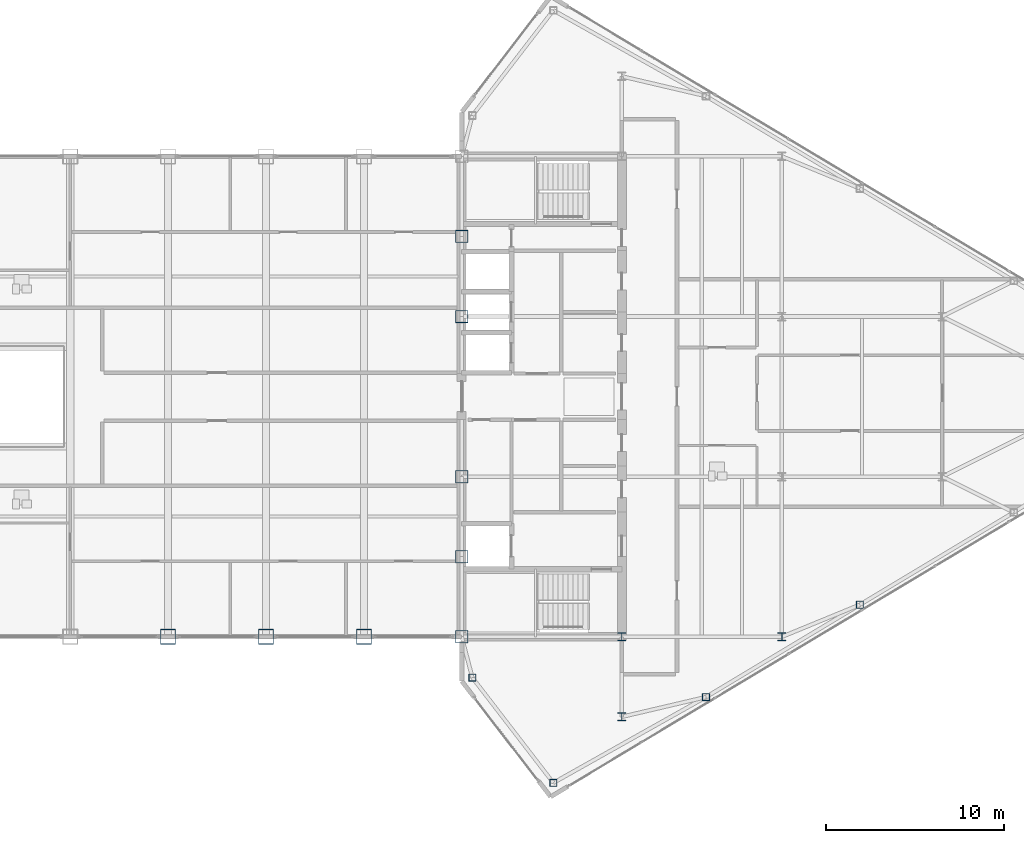
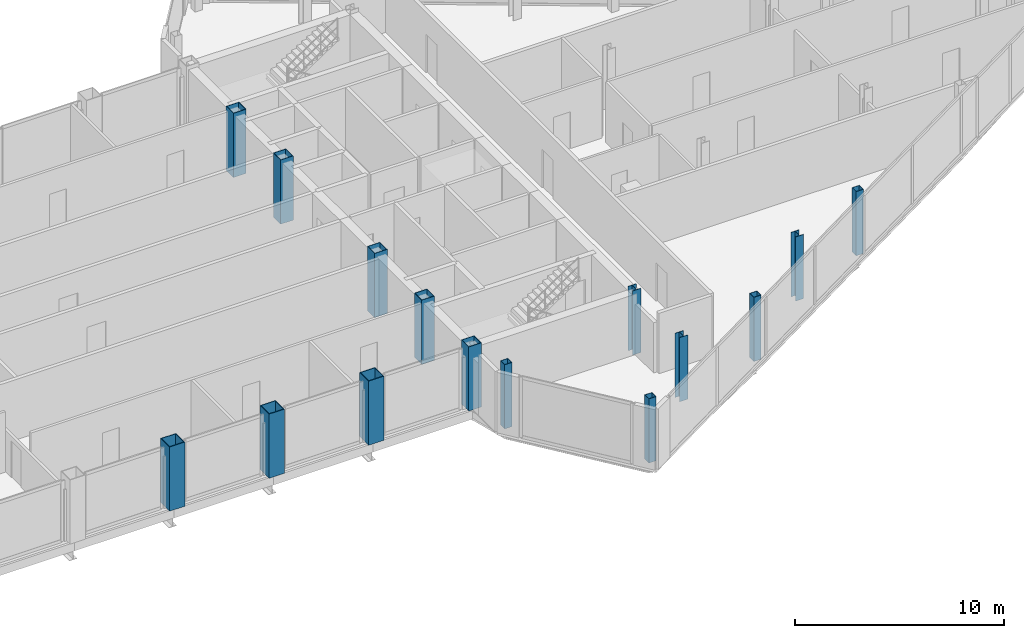
# One storey, part 4 of 29: 15 columns.
"""IFC4 building model written with IfcOpenShell, lengths in metres."""

from ifc_helpers import new_model, si_unit, direction, frame, origin, origin_2d, place, context, subcontext, project, spatial, hollow_rectangle, i_section, extrude, source, transform, mapped, material, material_profile, profile_set, type_object, type_shapes, element, save


model = new_model("IFC4")

# Units and contexts
model_context = context("Model", 3, precision=1e-05, world=origin(), true_north=direction((0.0, 1.0)))
body_context = subcontext(model_context, "Body", "Model", "MODEL_VIEW")
ifc_project = project(units=[si_unit("LENGTHUNIT", "METRE"), si_unit("AREAUNIT", "SQUARE_METRE"), si_unit("VOLUMEUNIT", "CUBIC_METRE"), si_unit("PLANEANGLEUNIT", "RADIAN"), si_unit("MASSUNIT", "GRAM", prefix="KILO")], contexts=[model_context])

# Site, building, storey
site_placement = place(None, origin())
site = spatial("IfcSite", under=ifc_project, at=site_placement, CompositionType="ELEMENT")
building_placement = place(site_placement, origin())
building = spatial("IfcBuilding", under=site, at=building_placement, Name="Seokmaru Belvedere", CompositionType="ELEMENT")
storey_placement = place(building_placement, frame((0.0, 0.0, 243.14990234375)))
storey = spatial("IfcBuildingStorey", under=building, at=storey_placement, Name="L64", CompositionType="ELEMENT", Elevation=243.14990234375)

# Columns
ifc_material_1 = material(Name="Steel SM355 (355 MPa)", Category="steel")
ifc_material_profile_1 = material_profile(ifc_material_1, hollow_rectangle(XDim=0.699951171875, YDim=0.699951171875, WallThickness=0.030029296875, at=origin_2d()), Name="BOX-700x700x30")
ifc_profile_set_1 = profile_set([ifc_material_profile_1], Name="Steel SM355 (355 MPa)")
column_type_1 = type_object("IfcColumnType", Name="Upper Spine Column BOX-700", PredefinedType="COLUMN", material=ifc_profile_set_1)
shared_shape_1 = source(origin(), body_context, "Body", "SweptSolid", [
    extrude(hollow_rectangle(XDim=0.699951171875, YDim=0.699951171875, WallThickness=0.030029296875, at=origin_2d()), origin(), (0.0, 0.0, 1.0), 3.75),
])
type_shapes(column_type_1, [shared_shape_1])
for number, where, z_axis, x_axis, name in (
    (1, (27.5, -13.5, 0.0), (0.0, 0.0, 1.0), (1.0, 0.0, 0.0), "L64 Column ES1"),
    (2, (27.5, -9.0, 0.0), (0.0, 0.0, 1.0), (1.0, 0.0, 0.0), "L64 Column ES2"),
    (3, (27.5, -4.5, 0.0), (0.0, 0.0, 1.0), (1.0, 0.0, 0.0), "L64 Column ES3"),
    (4, (27.5, 4.5, 0.0), (0.0, 0.0, 1.0), (1.0, 0.0, 0.0), "L64 Column ES4"),
    (5, (27.5, 9.0, 0.0), (0.0, 0.0, 1.0), (1.0, 0.0, 0.0), "L64 Column ES5"),
):
    element("IfcColumn", number, at=place(storey_placement, frame(where, z_axis=z_axis, x_axis=x_axis)), inside=storey, type_object=column_type_1, Name=name, PredefinedType="COLUMN", context=body_context, shape_type="MappedRepresentation", body=[
        mapped(shared_shape_1, transform((0.0, 0.0, 0.0), scale=1.0)),
    ])
ifc_material_profile_2 = material_profile(ifc_material_1, i_section(OverallWidth=0.449951171875, OverallDepth=0.449951171875, WebThickness=0.01611328125, FlangeThickness=0.02490234375, at=origin_2d()), Name="H-450x450x16x25")
ifc_profile_set_2 = profile_set([ifc_material_profile_2], Name="Steel SM355 (355 MPa)")
column_type_2 = type_object("IfcColumnType", Name="Sky-Gate Column H-450", PredefinedType="COLUMN", material=ifc_profile_set_2)
shared_shape_2 = source(origin(), body_context, "Body", "SweptSolid", [
    extrude(i_section(OverallWidth=0.449951171875, OverallDepth=0.449951171875, WebThickness=0.01611328125, FlangeThickness=0.02490234375, at=origin_2d()), origin(), (0.0, 0.0, 1.0), 3.75),
])
type_shapes(column_type_2, [shared_shape_2])
for number, where, z_axis, x_axis, name in (
    (6, (36.5, -18.0, 0.0), (0.0, 0.0, 1.0), (1.0, 0.0, 0.0), "L64 Column EC1"),
    (7, (36.5, -13.5, 0.0), (0.0, 0.0, 1.0), (1.0, 0.0, 0.0), "L64 Column EC2"),
    (8, (45.5, -13.5, 0.0), (0.0, 0.0, 1.0), (1.0, 0.0, 0.0), "L64 Column EG5_1"),
):
    element("IfcColumn", number, at=place(storey_placement, frame(where, z_axis=z_axis, x_axis=x_axis)), inside=storey, type_object=column_type_2, Name=name, PredefinedType="COLUMN", context=body_context, shape_type="MappedRepresentation", body=[
        mapped(shared_shape_2, transform((0.0, 0.0, 0.0), scale=1.0)),
    ])
ifc_material_profile_3 = material_profile(ifc_material_1, hollow_rectangle(XDim=0.39990234375, YDim=0.39990234375, WallThickness=0.01611328125, at=origin_2d()), Name="HSS-400x400x16")
ifc_profile_set_3 = profile_set([ifc_material_profile_3], Name="Steel SM355 (355 MPa)")
column_type_3 = type_object("IfcColumnType", Name="Perimeter Facet Column HSS-400", PredefinedType="COLUMN", material=ifc_profile_set_3)
shared_shape_3 = source(origin(), body_context, "Body", "SweptSolid", [
    extrude(hollow_rectangle(XDim=0.39990234375, YDim=0.39990234375, WallThickness=0.01611328125, at=origin_2d()), origin(), (0.0, 0.0, 1.0), 3.75),
])
type_shapes(column_type_3, [shared_shape_3])
for number, where, z_axis, x_axis, name in (
    (9, (32.649658203125, -21.71044921875, 0.0), (0.0, 0.0, 1.0), (1.0, 0.0, 0.0), "L64 Column EF1"),
    (10, (28.10009765625, -15.7958984375, 0.0), (0.0, 0.0, 1.0), (1.0, 0.0, 0.0), "L64 Column EF6"),
    (11, (41.229736328125, -16.888916015625, 0.0), (0.0, 0.0, 1.0), (1.0, 0.0, 0.0), "L64 Column EFLK_S1"),
    (12, (49.8798828125, -11.698974609375, 0.0), (0.0, 0.0, 1.0), (1.0, 0.0, 0.0), "L64 Column EFLK_S2"),
):
    element("IfcColumn", number, at=place(storey_placement, frame(where, z_axis=z_axis, x_axis=x_axis)), inside=storey, type_object=column_type_3, Name=name, PredefinedType="COLUMN", context=body_context, shape_type="MappedRepresentation", body=[
        mapped(shared_shape_3, transform((0.0, 0.0, 0.0), scale=1.0)),
    ])
ifc_material_2 = material(Name="Steel HSA650 (650 MPa)", Category="steel")
ifc_material_profile_4 = material_profile(ifc_material_2, hollow_rectangle(XDim=0.85009765625, YDim=0.85009765625, WallThickness=0.035888671875, at=origin_2d()), Name="BOX-850x850x36")
ifc_profile_set_4 = profile_set([ifc_material_profile_4], Name="Steel HSA650 (650 MPa)")
column_type_4 = type_object("IfcColumnType", Name="Portal Spine Column BOX-850", PredefinedType="COLUMN", material=ifc_profile_set_4)
shared_shape_4 = source(origin(), body_context, "Body", "SweptSolid", [
    extrude(hollow_rectangle(XDim=0.85009765625, YDim=0.85009765625, WallThickness=0.035888671875, at=origin_2d()), origin(), (0.0, 0.0, 1.0), 3.75),
])
type_shapes(column_type_4, [shared_shape_4])
for number, where, z_axis, x_axis, name in (
    (13, (11.0, -13.5, 0.0), (0.0, 0.0, 1.0), (1.0, 0.0, 0.0), "L64 Column BRS_7"),
    (14, (16.5, -13.5, 0.0), (0.0, 0.0, 1.0), (1.0, 0.0, 0.0), "L64 Column BRS_8"),
    (15, (22.0, -13.5, 0.0), (0.0, 0.0, 1.0), (1.0, 0.0, 0.0), "L64 Column BRS_9"),
):
    element("IfcColumn", number, at=place(storey_placement, frame(where, z_axis=z_axis, x_axis=x_axis)), inside=storey, type_object=column_type_4, Name=name, PredefinedType="COLUMN", context=body_context, shape_type="MappedRepresentation", body=[
        mapped(shared_shape_4, transform((0.0, 0.0, 0.0), scale=1.0)),
    ])

save(model, "model.ifc")
